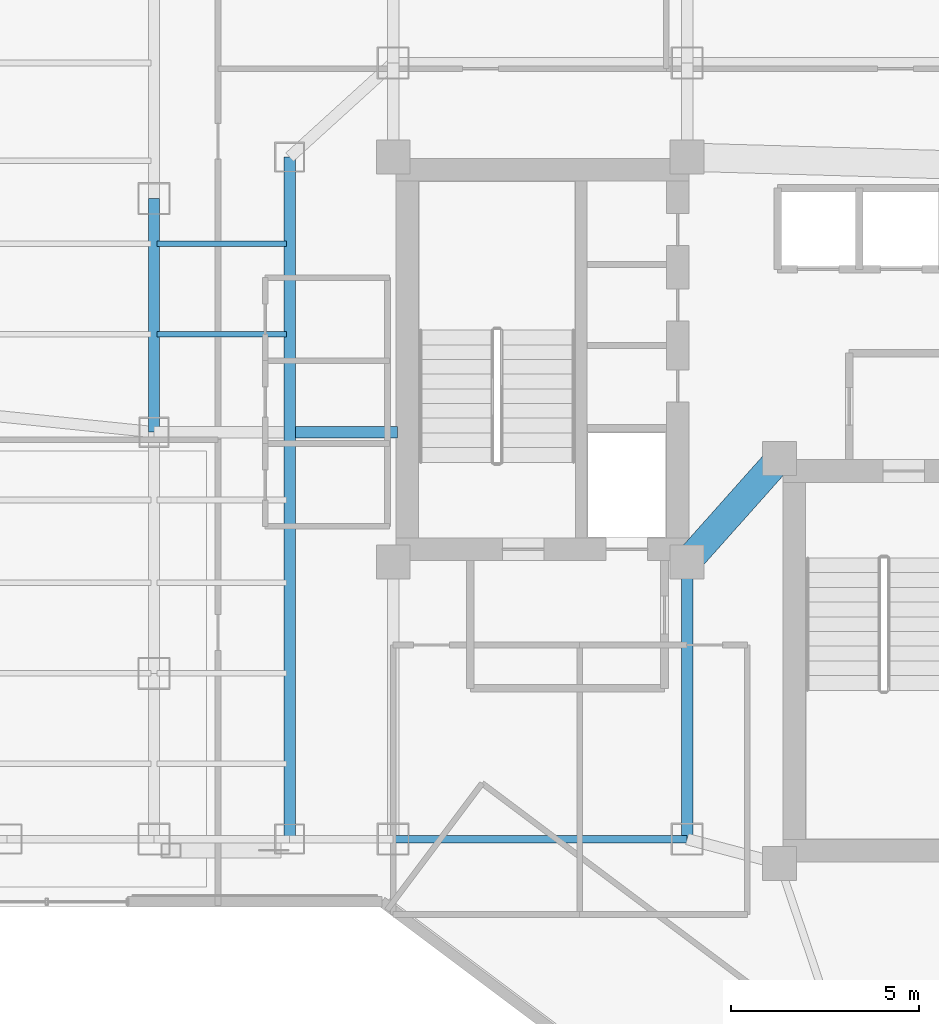
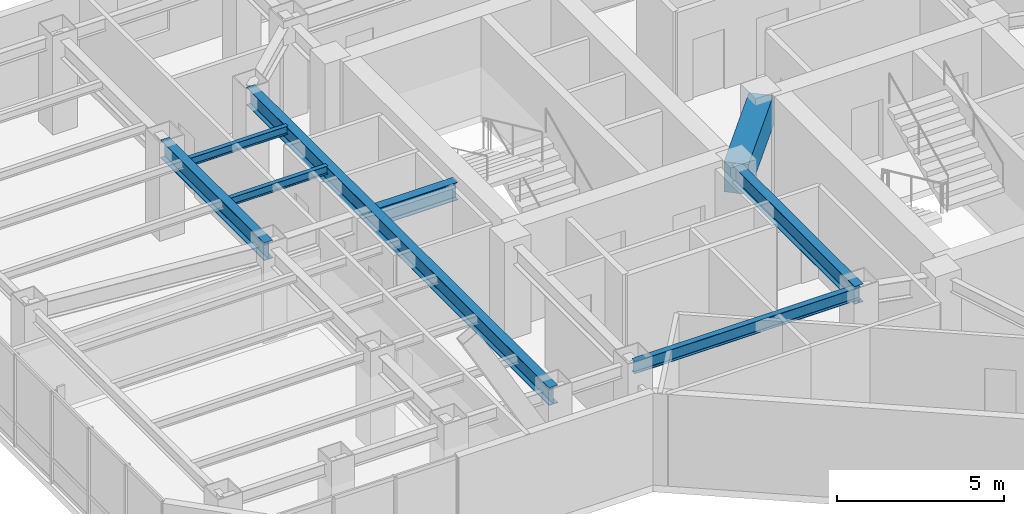
# One storey, part 9 of 28: 8 beams.
"""IFC4 building model written with IfcOpenShell, lengths in metres."""

from ifc_helpers import new_model, si_unit, direction, frame, origin, origin_2d, place, context, subcontext, project, spatial, rectangle, i_section, extrude, material, material_profile, profile_set, type_object, element, save


model = new_model("IFC4")

# Units and contexts
model_context = context("Model", 3, precision=1e-05, world=origin(), true_north=direction((0.0, 1.0)))
body_context = subcontext(model_context, "Body", "Model", "MODEL_VIEW")
ifc_project = project(units=[si_unit("LENGTHUNIT", "METRE"), si_unit("AREAUNIT", "SQUARE_METRE"), si_unit("VOLUMEUNIT", "CUBIC_METRE"), si_unit("PLANEANGLEUNIT", "RADIAN"), si_unit("MASSUNIT", "GRAM", prefix="KILO")], contexts=[model_context])

# Site, building, storey
site_placement = place(None, origin())
site = spatial("IfcSite", under=ifc_project, at=site_placement, CompositionType="ELEMENT")
building_placement = place(site_placement, origin())
building = spatial("IfcBuilding", under=site, at=building_placement, Name="Hatsunagi Terrace Concourse", CompositionType="ELEMENT")
storey_placement = place(building_placement, frame((0.0, 0.0, 138.449951171875)))
storey = spatial("IfcBuildingStorey", under=building, at=storey_placement, Name="L36", CompositionType="ELEMENT", Elevation=138.449951171875)

# Beams
ifc_material_1 = material(Name="Concrete Fc48", Category="concrete")
ifc_material_profile_1 = material_profile(ifc_material_1, rectangle(XDim=0.75, YDim=1.10009765625, at=origin_2d()), Name="RC-750x1100")
ifc_profile_set_1 = profile_set([ifc_material_profile_1], Name="Concrete Fc48")
beam_type_1 = type_object("IfcBeamType", Name="CoreCouplingBeam_RC_750x1100", PredefinedType="BEAM", material=ifc_profile_set_1)
beam_1_placement = place(storey_placement, frame((33.35009765625, 32.550048828125, 2.800048828125), z_axis=(0.665198651008, 0.746666427997, 0.0), x_axis=(-0.746666427997, 0.665198651008, 0.0)))
element("IfcBeam", 1, at=beam_1_placement, inside=storey, type_object=beam_type_1, Name="Beam CB-02 CB-L36-1", PredefinedType="BEAM", context=body_context, shape_type="SweptSolid", body=[
    extrude(rectangle(XDim=0.75, YDim=1.10009765625, at=origin_2d()), origin(), (0.0, 0.0, 1.0), 3.68310546875),
])
ifc_material_2 = material(Name="Steel SN490B", Category="steel")
ifc_material_profile_2 = material_profile(ifc_material_2, i_section(OverallWidth=0.14990234375, OverallDepth=0.300048828125, WebThickness=0.006591796875, FlangeThickness=0.009033203125, FilletRadius=0.010986328125, at=origin_2d()), Name="H-300x150x6.5x9")
ifc_profile_set_2 = profile_set([ifc_material_profile_2], Name="Steel SN490B")
beam_type_2 = type_object("IfcBeamType", Name="OfficeJoist_H_300x150", PredefinedType="JOIST", material=ifc_profile_set_2)
for number, where, z_axis, x_axis, name in (
    (2, (19.284912109375, 38.60009765625, 3.199951171875), (1.0, 0.0, 0.0), (0.0, 1.0, 0.0), "Beam J-03 J-L36-W-19-386"),
    (3, (19.284912109375, 41.0, 3.199951171875), (1.0, 0.0, 0.0), (0.0, 1.0, 0.0), "Beam J-03 J-L36-W-19-410"),
):
    element("IfcBeam", number, at=place(storey_placement, frame(where, z_axis=z_axis, x_axis=x_axis)), inside=storey, type_object=beam_type_2, Name=name, PredefinedType="JOIST", context=body_context, shape_type="SweptSolid", body=[
        extrude(i_section(OverallWidth=0.14990234375, OverallDepth=0.300048828125, WebThickness=0.006591796875, FlangeThickness=0.009033203125, FilletRadius=0.010986328125, at=origin_2d()), origin(), (0.0, 0.0, 1.0), 3.43017578125),
    ])
ifc_material_3 = material(Name="Steel SN490B", Category="steel")
ifc_material_profile_3 = material_profile(ifc_material_3, i_section(OverallWidth=0.300048828125, OverallDepth=0.64990234375, WebThickness=0.012939453125, FlangeThickness=0.02197265625, FilletRadius=0.01806640625, at=origin_2d()), Name="H-650x300x13x22")
ifc_profile_set_3 = profile_set([ifc_material_profile_3], Name="Steel SN490B")
beam_type_3 = type_object("IfcBeamType", Name="OfficeLowGirder_H_650x300", PredefinedType="BEAM", material=ifc_profile_set_3)
beam_2_placement = place(storey_placement, frame((33.35009765625, 25.199951171875, 3.025146484375), z_axis=(0.0, 1.0, 0.0), x_axis=(-1.0, 0.0, 0.0)))
element("IfcBeam", 4, at=beam_2_placement, inside=storey, type_object=beam_type_3, Name="Beam G-05 BM-L36-K2CA", PredefinedType="BEAM", context=body_context, shape_type="SweptSolid", body=[
    extrude(i_section(OverallWidth=0.300048828125, OverallDepth=0.64990234375, WebThickness=0.012939453125, FlangeThickness=0.02197265625, FilletRadius=0.01806640625, at=origin_2d()), origin(), (0.0, 0.0, 1.0), 7.35009765625),
])
beam_3_placement = place(storey_placement, frame((22.800048828125, 25.199951171875, 3.025146484375), z_axis=(0.0, 1.0, 0.0), x_axis=(-1.0, 0.0, 0.0)))
element("IfcBeam", 5, at=beam_3_placement, inside=storey, type_object=beam_type_3, Name="Beam G-05 BM-L36-CWNS", PredefinedType="BEAM", context=body_context, shape_type="SweptSolid", body=[
    extrude(i_section(OverallWidth=0.300048828125, OverallDepth=0.64990234375, WebThickness=0.012939453125, FlangeThickness=0.02197265625, FilletRadius=0.01806640625, at=origin_2d()), origin(), (0.0, 0.0, 1.0), 18.10009765625),
])
beam_4_placement = place(storey_placement, frame((19.199951171875, 36.0, 3.025146484375), z_axis=(0.0, 1.0, 0.0), x_axis=(-1.0, 0.0, 0.0)))
element("IfcBeam", 6, at=beam_4_placement, inside=storey, type_object=beam_type_3, Name="Beam G-05 BM-L36-NS-19-36", PredefinedType="BEAM", context=body_context, shape_type="SweptSolid", body=[
    extrude(i_section(OverallWidth=0.300048828125, OverallDepth=0.64990234375, WebThickness=0.012939453125, FlangeThickness=0.02197265625, FilletRadius=0.01806640625, at=origin_2d()), origin(), (0.0, 0.0, 1.0), 6.199951171875),
])
beam_5_placement = place(storey_placement, frame((22.949951171875, 36.0, 3.025146484375), z_axis=(1.0, 0.0, 0.0), x_axis=(0.0, 1.0, 0.0)))
element("IfcBeam", 7, at=beam_5_placement, inside=storey, type_object=beam_type_3, Name="Beam G-05 BM-L36-EW-4", PredefinedType="BEAM", context=body_context, shape_type="SweptSolid", body=[
    extrude(i_section(OverallWidth=0.300048828125, OverallDepth=0.64990234375, WebThickness=0.012939453125, FlangeThickness=0.02197265625, FilletRadius=0.01806640625, at=origin_2d()), origin(), (0.0, 0.0, 1.0), 2.7099609375),
])
ifc_material_4 = material(Name="Steel SN490B", Category="steel")
ifc_material_profile_4 = material_profile(ifc_material_4, i_section(OverallWidth=0.199951171875, OverallDepth=0.449951171875, WebThickness=0.009033203125, FlangeThickness=0.013916015625, FilletRadius=0.01611328125, at=origin_2d()), Name="H-450x200x9x14")
ifc_profile_set_4 = profile_set([ifc_material_profile_4], Name="Steel SN490B")
beam_type_4 = type_object("IfcBeamType", Name="PerimeterSpandrel_H_450x200", PredefinedType="SPANDREL", material=ifc_profile_set_4)
beam_6_placement = place(storey_placement, frame((25.550048828125, 25.199951171875, 3.125), z_axis=(1.0, 0.0, 0.0), x_axis=(0.0, 1.0, 0.0)))
element("IfcBeam", 8, at=beam_6_placement, inside=storey, type_object=beam_type_4, Name="Beam SP-02 BM-L36-WS-25", PredefinedType="SPANDREL", context=body_context, shape_type="SweptSolid", body=[
    extrude(i_section(OverallWidth=0.199951171875, OverallDepth=0.449951171875, WebThickness=0.009033203125, FlangeThickness=0.013916015625, FilletRadius=0.01611328125, at=origin_2d()), origin(), (0.0, 0.0, 1.0), 7.800048828125),
])

save(model, "model.ifc")
